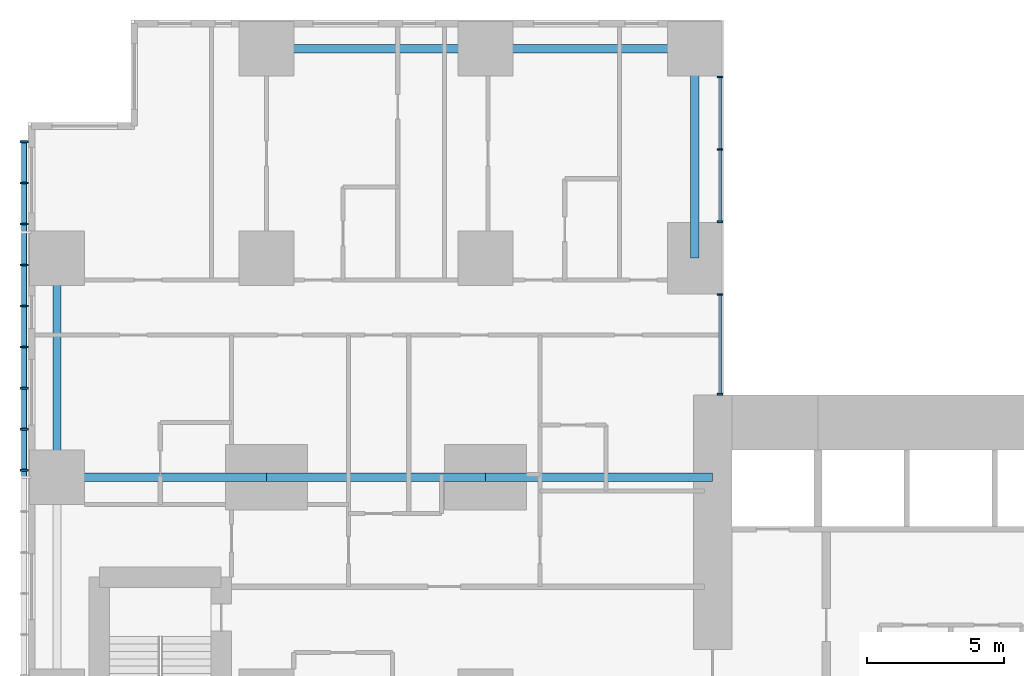
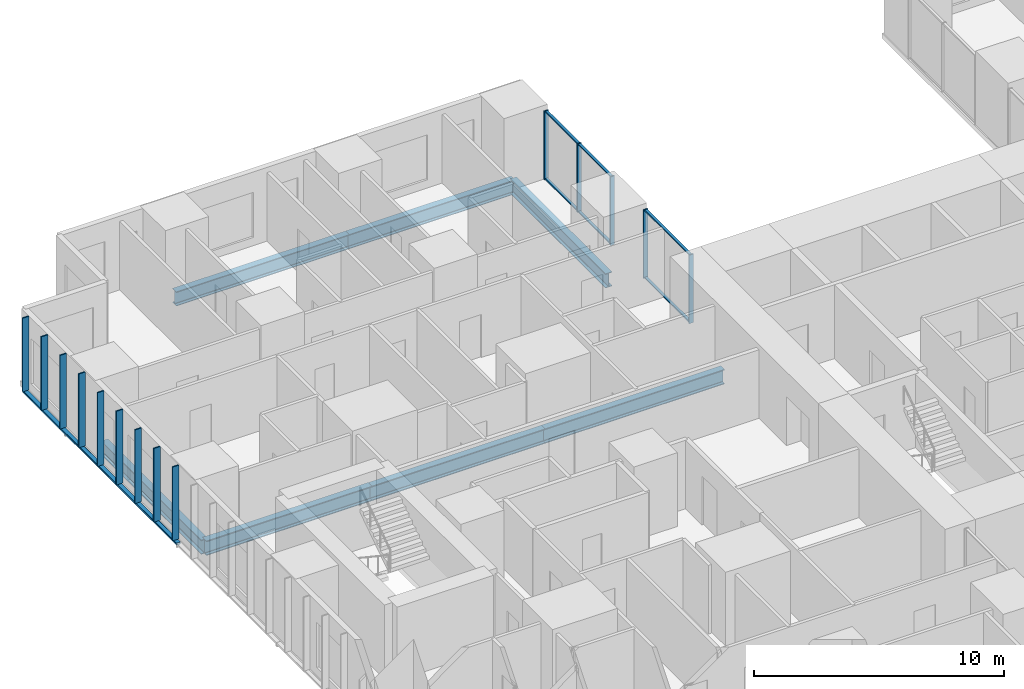
# One storey, part 4 of 20: 21 members, 7 beams, 2 elements without a shape of their own.
"""IFC4 building model written with IfcOpenShell, lengths in metres."""

from ifc_helpers import new_model, si_unit, direction, frame, origin, origin_2d, place, context, subcontext, project, spatial, rectangle, hollow_rectangle, i_section, extrude, material, layer, layer_set, material_profile, profile_set, type_object, element, aggregate, save


model = new_model("IFC4")

# Units and contexts
model_context = context("Model", 3, precision=1e-05, world=origin(), true_north=direction((0.0, 1.0)))
body_context = subcontext(model_context, "Body", "Model", "MODEL_VIEW")
ifc_project = project(units=[si_unit("LENGTHUNIT", "METRE"), si_unit("AREAUNIT", "SQUARE_METRE"), si_unit("VOLUMEUNIT", "CUBIC_METRE"), si_unit("PLANEANGLEUNIT", "RADIAN"), si_unit("MASSUNIT", "GRAM", prefix="KILO")], contexts=[model_context])

# Site, building, storey
site_placement = place(None, origin())
site = spatial("IfcSite", under=ifc_project, at=site_placement, CompositionType="ELEMENT")
building_placement = place(site_placement, origin())
building = spatial("IfcBuilding", under=site, at=building_placement, Name="Cleftline Residences", CompositionType="ELEMENT")
storey_placement = place(building_placement, frame((0.0, 0.0, 110.60009765625)))
storey = spatial("IfcBuildingStorey", under=building, at=storey_placement, Name="L28", CompositionType="ELEMENT", Elevation=110.60009765625)

# Member
ifc_material_1 = material(Name="Steel S355, hot-dip galvanised", Category="steel")
ifc_material_profile_1 = material_profile(ifc_material_1, hollow_rectangle(XDim=0.10009765625, YDim=0.199951171875, WallThickness=0.008056640625, InnerFilletRadius=0.008056640625, OuterFilletRadius=0.011962890625, at=origin_2d()))
ifc_profile_set_1 = profile_set([ifc_material_profile_1], Name="Steel S355, hot-dip galvanised")
member_type_1 = type_object("IfcMemberType", Name="BAGUETTE CARRIER RHS 200X100X8", PredefinedType="USERDEFINED", material=ifc_profile_set_1)
member_1_placement = place(storey_placement, frame((-0.85009765625, 44.300048828125, -0.050048828125), z_axis=(0.0, -1.0, 0.0), x_axis=(0.0, 0.0, 1.0)))
element("IfcMember", 1, at=member_1_placement, inside=storey, type_object=member_type_1, Name="Baguette carrier", ObjectType="BAGUETTE CARRIER", PredefinedType="USERDEFINED", context=body_context, shape_type="SweptSolid", body=[
    extrude(hollow_rectangle(XDim=0.10009765625, YDim=0.199951171875, WallThickness=0.008056640625, InnerFilletRadius=0.008056640625, OuterFilletRadius=0.011962890625, at=origin_2d()), origin(), (0.0, 0.0, 1.0), 12.300048828125),
])

# Beams
ifc_material_2 = material(Name="Steel S355", Category="steel")
ifc_material_profile_2 = material_profile(ifc_material_2, i_section(OverallWidth=0.300048828125, OverallDepth=0.699951171875, WebThickness=0.01708984375, FlangeThickness=0.031982421875, FilletRadius=0.027099609375, at=origin_2d()))
ifc_profile_set_2 = profile_set([ifc_material_profile_2], Name="Steel S355")
beam_type_1 = type_object("IfcBeamType", Name="BEAM HEB 700", PredefinedType="BEAM", material=ifc_profile_set_2)
for number, where, z_axis, x_axis, name in (
    (2, (0.35009765625, 32.0, -0.60009765625), (0.0, 1.0, 0.0), (-1.0, 0.0, 0.0), "Edge beam"),
    (3, (8.0, 47.64990234375, -0.60009765625), (1.0, 0.0, 0.0), (0.0, 1.0, 0.0), "Edge beam"),
):
    element("IfcBeam", number, at=place(storey_placement, frame(where, z_axis=z_axis, x_axis=x_axis)), inside=storey, type_object=beam_type_1, Name=name, PredefinedType="BEAM", context=body_context, shape_type="SweptSolid", body=[
        extrude(i_section(OverallWidth=0.300048828125, OverallDepth=0.699951171875, WebThickness=0.01708984375, FlangeThickness=0.031982421875, FilletRadius=0.027099609375, at=origin_2d()), origin(), (0.0, 0.0, 1.0), 8.0),
    ])
for number, where, z_axis, x_axis, name in (
    (4, (16.0, 47.64990234375, -0.60009765625), (1.0, 0.0, 0.0), (0.0, 1.0, 0.0), "Edge beam"),
    (5, (23.64990234375, 47.64990234375, -0.60009765625), (0.0, -1.0, 0.0), (1.0, 0.0, 0.0), "Edge beam"),
):
    element("IfcBeam", number, at=place(storey_placement, frame(where, z_axis=z_axis, x_axis=x_axis)), inside=storey, type_object=beam_type_1, Name=name, PredefinedType="BEAM", context=body_context, shape_type="SweptSolid", body=[
        extrude(i_section(OverallWidth=0.300048828125, OverallDepth=0.699951171875, WebThickness=0.01708984375, FlangeThickness=0.031982421875, FilletRadius=0.027099609375, at=origin_2d()), origin(), (0.0, 0.0, 1.0), 7.64990234375),
    ])
ifc_material_3 = material(Name="Steel S355", Category="steel")
ifc_material_profile_3 = material_profile(ifc_material_3, i_section(OverallWidth=0.303955078125, OverallDepth=0.716064453125, WebThickness=0.02099609375, FlangeThickness=0.0400390625, FilletRadius=0.027099609375, at=origin_2d()))
ifc_profile_set_3 = profile_set([ifc_material_profile_3], Name="Steel S355")
beam_type_2 = type_object("IfcBeamType", Name="BEAM HEM 700", PredefinedType="BEAM", material=ifc_profile_set_3)
beam_1_placement = place(storey_placement, frame((0.35009765625, 32.0, -0.608154296875), z_axis=(1.0, 0.0, 0.0), x_axis=(0.0, 1.0, 0.0)))
element("IfcBeam", 6, at=beam_1_placement, inside=storey, type_object=beam_type_2, Name="Band beam", PredefinedType="BEAM", context=body_context, shape_type="SweptSolid", body=[
    extrude(i_section(OverallWidth=0.303955078125, OverallDepth=0.716064453125, WebThickness=0.02099609375, FlangeThickness=0.0400390625, FilletRadius=0.027099609375, at=origin_2d()), origin(), (0.0, 0.0, 1.0), 7.64990234375),
])
beam_2_placement = place(storey_placement, frame((8.0, 32.0, -0.608154296875), z_axis=(1.0, 0.0, 0.0), x_axis=(0.0, 1.0, 0.0)))
element("IfcBeam", 7, at=beam_2_placement, inside=storey, type_object=beam_type_2, Name="Band beam", PredefinedType="BEAM", context=body_context, shape_type="SweptSolid", body=[
    extrude(i_section(OverallWidth=0.303955078125, OverallDepth=0.716064453125, WebThickness=0.02099609375, FlangeThickness=0.0400390625, FilletRadius=0.027099609375, at=origin_2d()), origin(), (0.0, 0.0, 1.0), 8.0),
])
beam_3_placement = place(storey_placement, frame((16.0, 32.0, -0.608154296875), z_axis=(1.0, 0.0, 0.0), x_axis=(0.0, 1.0, 0.0)))
element("IfcBeam", 8, at=beam_3_placement, inside=storey, type_object=beam_type_2, Name="Band beam", PredefinedType="BEAM", context=body_context, shape_type="SweptSolid", body=[
    extrude(i_section(OverallWidth=0.303955078125, OverallDepth=0.716064453125, WebThickness=0.02099609375, FlangeThickness=0.0400390625, FilletRadius=0.027099609375, at=origin_2d()), origin(), (0.0, 0.0, 1.0), 8.300048828125),
])

# Curtain wall, members
ifc_material_4 = material(Name="Aluminium framed curtain wall", Category="aluminium")
ifc_layer = layer(ifc_material_4, 0.199951171875)
ifc_layer_set = layer_set([ifc_layer], Name="CW1 CLEFT GLAZING")
curtain_wall_type = type_object("IfcCurtainWallType", Name="CW1 CLEFT GLAZING", PredefinedType="NOTDEFINED", material=ifc_layer_set)
curtain_wall_1_placement = place(storey_placement, origin())
curtain_wall_1 = element("IfcCurtainWall", 9, at=curtain_wall_1_placement, inside=storey, type_object=curtain_wall_type, Name="Curtain wall CW1", PredefinedType="NOTDEFINED")
ifc_material_5 = material(Name="Aluminium mullion", Category="aluminium")
ifc_material_profile_4 = material_profile(ifc_material_5, rectangle(XDim=0.199951171875, YDim=0.06005859375, at=origin_2d()))
ifc_profile_set_4 = profile_set([ifc_material_profile_4], Name="Aluminium mullion")
member_type_2 = type_object("IfcMemberType", Name="CW1 MULLION", PredefinedType="MULLION", material=ifc_profile_set_4)
member_2_placement = place(storey_placement, frame((24.574951171875, 35.030029296875, 0.0), z_axis=(0.0, 0.0, 1.0), x_axis=(-1.0, 0.0, 0.0)))
member_2 = element("IfcMember", 10, at=member_2_placement, type_object=member_type_2, Name="CW1 mullion 1", PredefinedType="MULLION", context=body_context, shape_type="SweptSolid", body=[
    extrude(rectangle(XDim=0.199951171875, YDim=0.06005859375, at=origin_2d()), origin(), (0.0, 0.0, 1.0), 3.349853515625),
])
member_3_placement = place(storey_placement, frame((24.574951171875, 38.669921875, 0.0), z_axis=(0.0, 0.0, 1.0), x_axis=(-1.0, 0.0, 0.0)))
member_3 = element("IfcMember", 11, at=member_3_placement, type_object=member_type_2, Name="CW1 mullion 2", PredefinedType="MULLION", context=body_context, shape_type="SweptSolid", body=[
    extrude(rectangle(XDim=0.199951171875, YDim=0.06005859375, at=origin_2d()), origin(), (0.0, 0.0, 1.0), 3.349853515625),
])

curtain_wall_2_placement = place(storey_placement, origin())
curtain_wall_2 = element("IfcCurtainWall", 12, at=curtain_wall_2_placement, inside=storey, type_object=curtain_wall_type, Name="Curtain wall CW1", PredefinedType="NOTDEFINED")
member_4_placement = place(storey_placement, frame((24.574951171875, 41.330078125, 0.0), z_axis=(0.0, 0.0, 1.0), x_axis=(-1.0, 0.0, 0.0)))
member_4 = element("IfcMember", 13, at=member_4_placement, type_object=member_type_2, Name="CW1 mullion 1", PredefinedType="MULLION", context=body_context, shape_type="SweptSolid", body=[
    extrude(rectangle(XDim=0.199951171875, YDim=0.06005859375, at=origin_2d()), origin(), (0.0, 0.0, 1.0), 3.349853515625),
])
member_5_placement = place(storey_placement, frame((24.574951171875, 43.97509765625, 0.0), z_axis=(0.0, 0.0, 1.0), x_axis=(-1.0, 0.0, 0.0)))
member_5 = element("IfcMember", 14, at=member_5_placement, type_object=member_type_2, Name="CW1 mullion 2", PredefinedType="MULLION", context=body_context, shape_type="SweptSolid", body=[
    extrude(rectangle(XDim=0.199951171875, YDim=0.06005859375, at=origin_2d()), origin(), (0.0, 0.0, 1.0), 3.349853515625),
])
member_6_placement = place(storey_placement, frame((24.574951171875, 46.6201171875, 0.0), z_axis=(0.0, 0.0, 1.0), x_axis=(-1.0, 0.0, 0.0)))
member_6 = element("IfcMember", 15, at=member_6_placement, type_object=member_type_2, Name="CW1 mullion 3", PredefinedType="MULLION", context=body_context, shape_type="SweptSolid", body=[
    extrude(rectangle(XDim=0.199951171875, YDim=0.06005859375, at=origin_2d()), origin(), (0.0, 0.0, 1.0), 3.349853515625),
])

# Member
ifc_material_6 = material(Name="Aluminium transom", Category="aluminium")
ifc_material_profile_5 = material_profile(ifc_material_6, rectangle(XDim=0.1201171875, YDim=0.06005859375, at=origin_2d()))
ifc_profile_set_5 = profile_set([ifc_material_profile_5], Name="Aluminium transom")
member_type_3 = type_object("IfcMemberType", Name="CW1 TRANSOM", PredefinedType="USERDEFINED", material=ifc_profile_set_5)
member_7_placement = place(storey_placement, frame((24.574951171875, 35.06005859375, 0.02978515625), z_axis=(0.0, 1.0, 0.0), x_axis=(-1.0, 0.0, 0.0)))
member_7 = element("IfcMember", 16, at=member_7_placement, type_object=member_type_3, Name="CW1 transom 1.1", ObjectType="TRANSOM", PredefinedType="USERDEFINED", context=body_context, shape_type="SweptSolid", body=[
    extrude(rectangle(XDim=0.1201171875, YDim=0.06005859375, at=origin_2d()), origin(), (0.0, 0.0, 1.0), 3.579833984375),
])

member_8_placement = place(storey_placement, frame((24.574951171875, 35.06005859375, 3.31982421875), z_axis=(0.0, 1.0, 0.0), x_axis=(-1.0, 0.0, 0.0)))
member_8 = element("IfcMember", 17, at=member_8_placement, type_object=member_type_3, Name="CW1 transom 1.2", ObjectType="TRANSOM", PredefinedType="USERDEFINED", context=body_context, shape_type="SweptSolid", body=[
    extrude(rectangle(XDim=0.1201171875, YDim=0.06005859375, at=origin_2d()), origin(), (0.0, 0.0, 1.0), 3.579833984375),
])

aggregate(curtain_wall_1, [member_2, member_3, member_7, member_8])

member_9_placement = place(storey_placement, frame((24.574951171875, 41.360107421875, 0.02978515625), z_axis=(0.0, 1.0, 0.0), x_axis=(-1.0, 0.0, 0.0)))
member_9 = element("IfcMember", 18, at=member_9_placement, type_object=member_type_3, Name="CW1 transom 1.1", ObjectType="TRANSOM", PredefinedType="USERDEFINED", context=body_context, shape_type="SweptSolid", body=[
    extrude(rectangle(XDim=0.1201171875, YDim=0.06005859375, at=origin_2d()), origin(), (0.0, 0.0, 1.0), 2.5849609375),
])

member_10_placement = place(storey_placement, frame((24.574951171875, 41.360107421875, 3.31982421875), z_axis=(0.0, 1.0, 0.0), x_axis=(-1.0, 0.0, 0.0)))
member_10 = element("IfcMember", 19, at=member_10_placement, type_object=member_type_3, Name="CW1 transom 1.2", ObjectType="TRANSOM", PredefinedType="USERDEFINED", context=body_context, shape_type="SweptSolid", body=[
    extrude(rectangle(XDim=0.1201171875, YDim=0.06005859375, at=origin_2d()), origin(), (0.0, 0.0, 1.0), 2.5849609375),
])

member_11_placement = place(storey_placement, frame((24.574951171875, 44.0048828125, 0.02978515625), z_axis=(0.0, 1.0, 0.0), x_axis=(-1.0, 0.0, 0.0)))
member_11 = element("IfcMember", 20, at=member_11_placement, type_object=member_type_3, Name="CW1 transom 2.1", ObjectType="TRANSOM", PredefinedType="USERDEFINED", context=body_context, shape_type="SweptSolid", body=[
    extrude(rectangle(XDim=0.1201171875, YDim=0.06005859375, at=origin_2d()), origin(), (0.0, 0.0, 1.0), 2.585205078125),
])

member_12_placement = place(storey_placement, frame((24.574951171875, 44.0048828125, 3.31982421875), z_axis=(0.0, 1.0, 0.0), x_axis=(-1.0, 0.0, 0.0)))
member_12 = element("IfcMember", 21, at=member_12_placement, type_object=member_type_3, Name="CW1 transom 2.2", ObjectType="TRANSOM", PredefinedType="USERDEFINED", context=body_context, shape_type="SweptSolid", body=[
    extrude(rectangle(XDim=0.1201171875, YDim=0.06005859375, at=origin_2d()), origin(), (0.0, 0.0, 1.0), 2.585205078125),
])

aggregate(curtain_wall_2, [member_4, member_5, member_6, member_9, member_10, member_11, member_12])

# Members
ifc_material_7 = material(Name="Extruded terracotta", Category="masonry")
ifc_material_profile_6 = material_profile(ifc_material_7, rectangle(XDim=0.06005859375, YDim=0.300048828125, at=origin_2d()))
ifc_profile_set_6 = profile_set([ifc_material_profile_6], Name="Extruded terracotta")
member_type_4 = type_object("IfcMemberType", Name="TERRACOTTA BAGUETTE 60X300", PredefinedType="USERDEFINED", material=ifc_profile_set_6)
for number, where, z_axis, x_axis, name in (
    (22, (-0.85009765625, 44.25, 0.0), (0.0, 0.0, 1.0), (0.0, 1.0, 0.0), "Terracotta baguette"),
    (23, (-0.85009765625, 42.75, 0.0), (0.0, 0.0, 1.0), (0.0, 1.0, 0.0), "Terracotta baguette"),
    (24, (-0.85009765625, 41.25, 0.0), (0.0, 0.0, 1.0), (0.0, 1.0, 0.0), "Terracotta baguette"),
    (25, (-0.85009765625, 39.75, 0.0), (0.0, 0.0, 1.0), (0.0, 1.0, 0.0), "Terracotta baguette"),
    (26, (-0.85009765625, 38.25, 0.0), (0.0, 0.0, 1.0), (0.0, 1.0, 0.0), "Terracotta baguette"),
    (27, (-0.85009765625, 36.75, 0.0), (0.0, 0.0, 1.0), (0.0, 1.0, 0.0), "Terracotta baguette"),
    (28, (-0.85009765625, 35.25, 0.0), (0.0, 0.0, 1.0), (0.0, 1.0, 0.0), "Terracotta baguette"),
    (29, (-0.85009765625, 33.75, 0.0), (0.0, 0.0, 1.0), (0.0, 1.0, 0.0), "Terracotta baguette"),
    (30, (-0.85009765625, 32.25, 0.0), (0.0, 0.0, 1.0), (0.0, 1.0, 0.0), "Terracotta baguette"),
):
    element("IfcMember", number, at=place(storey_placement, frame(where, z_axis=z_axis, x_axis=x_axis)), inside=storey, type_object=member_type_4, Name=name, ObjectType="BAGUETTE", PredefinedType="USERDEFINED", context=body_context, shape_type="SweptSolid", body=[
        extrude(rectangle(XDim=0.06005859375, YDim=0.300048828125, at=origin_2d()), origin(), (0.0, 0.0, 1.0), 3.599853515625),
    ])

save(model, "model.ifc")
